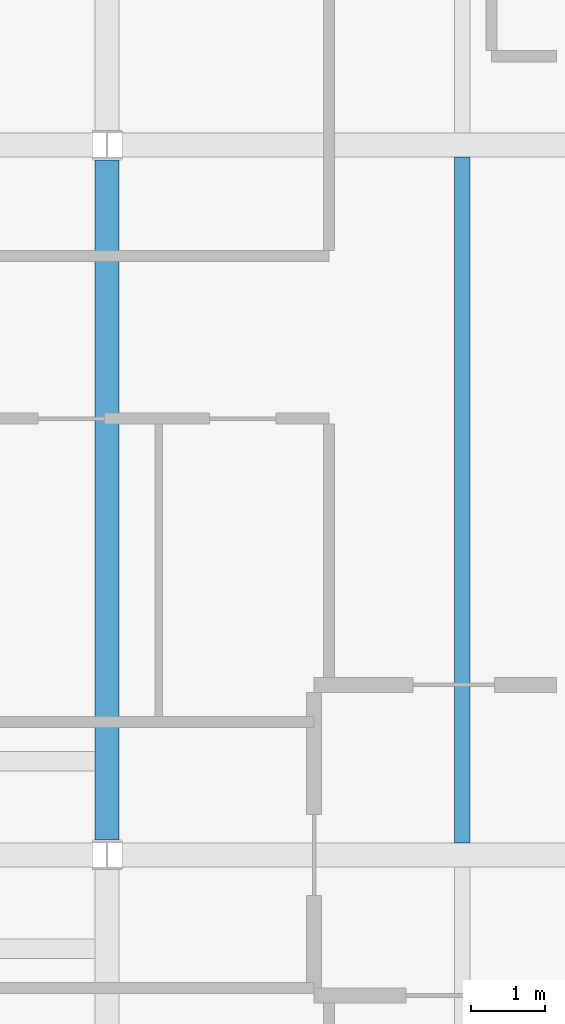
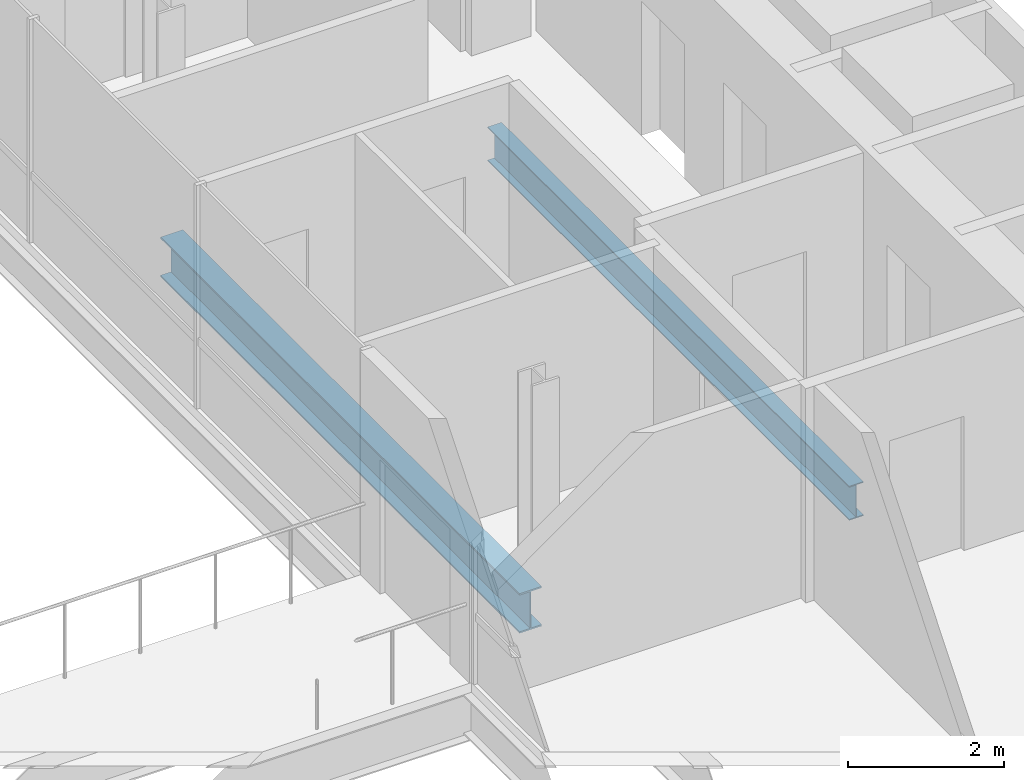
# One storey, part 6 of 16: 2 beams.
"""IFC4 building model written with IfcOpenShell, lengths in metres."""

from ifc_helpers import new_model, si_unit, direction, frame, origin, origin_2d, place, context, subcontext, project, spatial, i_section, extrude, material, material_profile, profile_set, type_object, element, save


model = new_model("IFC4")

# Units and contexts
model_context = context("Model", 3, precision=1e-05, world=origin(), true_north=direction((0.0, 1.0)))
body_context = subcontext(model_context, "Body", "Model", "MODEL_VIEW")
ifc_project = project(units=[si_unit("LENGTHUNIT", "METRE"), si_unit("AREAUNIT", "SQUARE_METRE"), si_unit("VOLUMEUNIT", "CUBIC_METRE"), si_unit("PLANEANGLEUNIT", "RADIAN"), si_unit("MASSUNIT", "GRAM", prefix="KILO")], contexts=[model_context])

# Site, building, storey
site_placement = place(None, origin())
site = spatial("IfcSite", under=ifc_project, at=site_placement, CompositionType="ELEMENT")
building_placement = place(site_placement, origin())
building = spatial("IfcBuilding", under=site, at=building_placement, Name="Cobrizo Arcos Hotel Tower", CompositionType="ELEMENT")
storey_placement = place(building_placement, frame((0.0, 0.0, 127.5)))
storey = spatial("IfcBuildingStorey", under=building, at=storey_placement, Name="L32", CompositionType="ELEMENT", Elevation=127.5)

# Beams
ifc_material = material(Name="Steel ASTM A992 Grade 50", Category="steel")
ifc_material_profile_1 = material_profile(ifc_material, i_section(OverallWidth=0.209228515625, OverallDepth=0.533447265625, WebThickness=0.01025390625, FlangeThickness=0.015625, at=origin_2d()), Name="W21X62")
ifc_profile_set_1 = profile_set([ifc_material_profile_1], Name="Steel ASTM A992 Grade 50")
beam_type_1 = type_object("IfcBeamType", Name="W21X62 joist", PredefinedType="JOIST", material=ifc_profile_set_1)
beam_1_placement = place(storey_placement, frame((14.39990234375, 0.163818359375, -0.416748046875), z_axis=(0.0, 1.0, 0.0), x_axis=(-1.0, 0.0, 0.0)))
element("IfcBeam", 1, at=beam_1_placement, inside=storey, type_object=beam_type_1, Name="Floor joist J1, L32, no. 009", PredefinedType="JOIST", context=body_context, shape_type="SweptSolid", body=[
    extrude(i_section(OverallWidth=0.209228515625, OverallDepth=0.533447265625, WebThickness=0.01025390625, FlangeThickness=0.015625, at=origin_2d()), origin(), (0.0, 0.0, 1.0), 9.272216796875),
])
ifc_material_profile_2 = material_profile(ifc_material, i_section(OverallWidth=0.32763671875, OverallDepth=0.622314453125, WebThickness=0.015380859375, FlangeThickness=0.0244140625, at=origin_2d()), Name="W24X131")
ifc_profile_set_2 = profile_set([ifc_material_profile_2], Name="Steel ASTM A992 Grade 50")
beam_type_2 = type_object("IfcBeamType", Name="W24X131 girder", PredefinedType="BEAM", material=ifc_profile_set_2)
beam_2_placement = place(storey_placement, frame((9.60009765625, 0.199462890625, -0.461181640625), z_axis=(0.0, 1.0, 0.0), x_axis=(-1.0, 0.0, 0.0)))
element("IfcBeam", 2, at=beam_2_placement, inside=storey, type_object=beam_type_2, Name="Floor girder G1, L32, no. 018", PredefinedType="BEAM", context=body_context, shape_type="SweptSolid", body=[
    extrude(i_section(OverallWidth=0.32763671875, OverallDepth=0.622314453125, WebThickness=0.015380859375, FlangeThickness=0.0244140625, at=origin_2d()), origin(), (0.0, 0.0, 1.0), 9.201171875),
])

save(model, "model.ifc")
